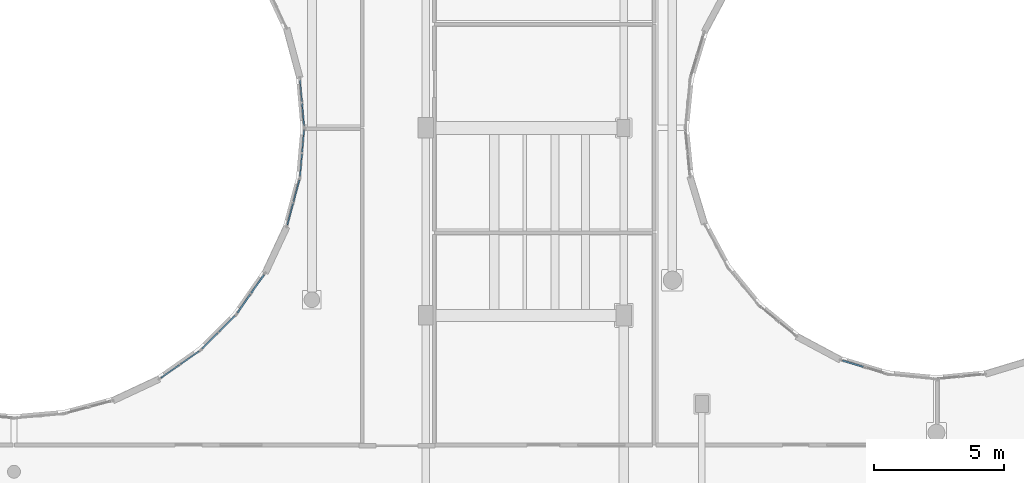
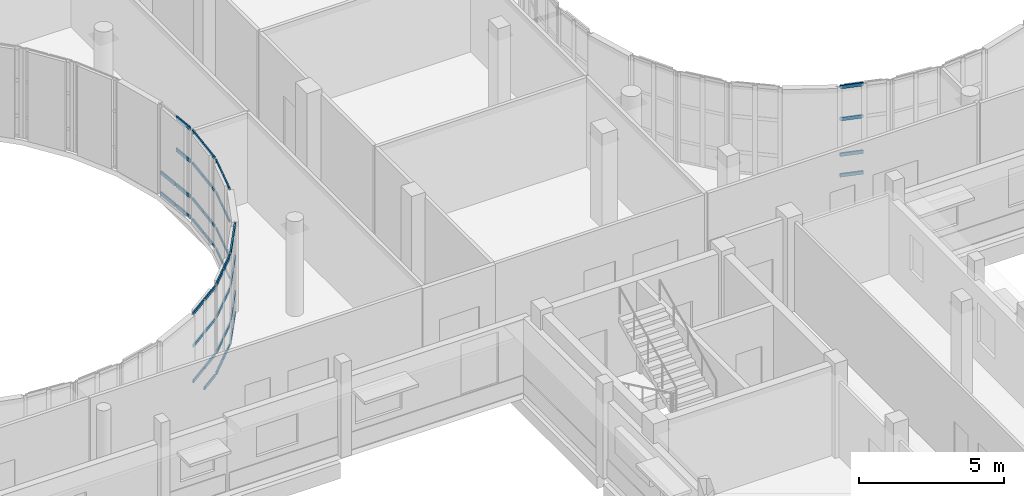
# One storey, part 54 of 105: 49 members, 7 elements without a shape of their own.
"""IFC4 building model written with IfcOpenShell, lengths in metres."""

from ifc_helpers import new_model, si_unit, direction, frame, origin, origin_2d, place, context, subcontext, project, spatial, hollow_rectangle, extrude, material, layer, layer_set, material_profile, profile_set, type_object, element, aggregate, save


model = new_model("IFC4")

# Units and contexts
model_context = context("Model", 3, precision=1e-05, world=origin(), true_north=direction((0.0, 1.0)))
body_context = subcontext(model_context, "Body", "Model", "MODEL_VIEW")
ifc_project = project(units=[si_unit("LENGTHUNIT", "METRE"), si_unit("AREAUNIT", "SQUARE_METRE"), si_unit("VOLUMEUNIT", "CUBIC_METRE"), si_unit("PLANEANGLEUNIT", "RADIAN"), si_unit("MASSUNIT", "GRAM", prefix="KILO")], contexts=[model_context])

# Site, building, storey
site_placement = place(None, origin())
site = spatial("IfcSite", under=ifc_project, at=site_placement, CompositionType="ELEMENT")
building_placement = place(site_placement, origin())
building = spatial("IfcBuilding", under=site, at=building_placement, Name="Kelanivale Promenade Academy", CompositionType="ELEMENT")
storey_placement = place(building_placement, frame((0.0, 0.0, 4.199951171875)))
storey = spatial("IfcBuildingStorey", under=building, at=storey_placement, Name="L01", CompositionType="ELEMENT", Elevation=4.199951171875)

# Curtain wall, members
ifc_material_1 = material(Name="Bronze anodised aluminium and solar-control low-E glass", Category="aluminium")
ifc_layer_1 = layer(ifc_material_1, 0.179931640625)
ifc_layer_set_1 = layer_set([ifc_layer_1], Name="Bronze anodised aluminium and solar-control low-E glass")
curtain_wall_type_1 = type_object("IfcCurtainWallType", Name="CW-05 Curtain Wall 1950mm Module", PredefinedType="USERDEFINED", material=ifc_layer_set_1)
curtain_wall_1_placement = place(storey_placement, origin())
curtain_wall_1 = element("IfcCurtainWall", 1, at=curtain_wall_1_placement, inside=storey, type_object=curtain_wall_type_1, Name="L01 courtyard curtain wall CW-05", ObjectType="UNITISED GLAZING", PredefinedType="USERDEFINED")
ifc_material_2 = material(Name="Bronze anodised aluminium EN AW-6063 T6", Category="aluminium")
ifc_material_profile_1 = material_profile(ifc_material_2, hollow_rectangle(XDim=0.050048828125, YDim=0.10009765625, WallThickness=0.0029296875, at=origin_2d()), Name="ALU 50x100x3.0")
ifc_profile_set_1 = profile_set([ifc_material_profile_1], Name="Bronze anodised aluminium EN AW-6063 T6")
member_type_1 = type_object("IfcMemberType", Name="CWT-01 ALU 50x100x3.0", PredefinedType="USERDEFINED", material=ifc_profile_set_1)
member_1_placement = place(storey_placement, frame((73.8916015625, 53.073974609375, 0.025146484375), z_axis=(0.258509382951, 0.966008746817, 0.0), x_axis=(-0.966008746817, 0.258509382951, 0.0)))
member_1 = element("IfcMember", 2, at=member_1_placement, type_object=member_type_1, Name="CW-05 transom 1.1", ObjectType="TRANSOM", PredefinedType="USERDEFINED", context=body_context, shape_type="SweptSolid", body=[
    extrude(hollow_rectangle(XDim=0.050048828125, YDim=0.10009765625, WallThickness=0.0029296875, at=origin_2d()), origin(), (0.0, 0.0, 1.0), 0.861328125),
])
member_2_placement = place(storey_placement, frame((73.8916015625, 53.073974609375, 0.900146484375), z_axis=(0.258509382951, 0.966008746817, 0.0), x_axis=(-0.966008746817, 0.258509382951, 0.0)))
member_2 = element("IfcMember", 3, at=member_2_placement, type_object=member_type_1, Name="CW-05 transom 1.2", ObjectType="TRANSOM", PredefinedType="USERDEFINED", context=body_context, shape_type="SweptSolid", body=[
    extrude(hollow_rectangle(XDim=0.050048828125, YDim=0.10009765625, WallThickness=0.0029296875, at=origin_2d()), origin(), (0.0, 0.0, 1.0), 0.861328125),
])
member_3_placement = place(storey_placement, frame((73.8916015625, 53.073974609375, 2.400146484375), z_axis=(0.258509382951, 0.966008746817, 0.0), x_axis=(-0.966008746817, 0.258509382951, 0.0)))
member_3 = element("IfcMember", 4, at=member_3_placement, type_object=member_type_1, Name="CW-05 transom 1.3", ObjectType="TRANSOM", PredefinedType="USERDEFINED", context=body_context, shape_type="SweptSolid", body=[
    extrude(hollow_rectangle(XDim=0.050048828125, YDim=0.10009765625, WallThickness=0.0029296875, at=origin_2d()), origin(), (0.0, 0.0, 1.0), 0.861328125),
])
member_4_placement = place(storey_placement, frame((73.8916015625, 53.073974609375, 3.755126953125), z_axis=(0.258509382951, 0.966008746817, 0.0), x_axis=(-0.966008746817, 0.258509382951, 0.0)))
member_4 = element("IfcMember", 5, at=member_4_placement, type_object=member_type_1, Name="CW-05 transom 1.4", ObjectType="TRANSOM", PredefinedType="USERDEFINED", context=body_context, shape_type="SweptSolid", body=[
    extrude(hollow_rectangle(XDim=0.050048828125, YDim=0.10009765625, WallThickness=0.0029296875, at=origin_2d()), origin(), (0.0, 0.0, 1.0), 0.861328125),
])
member_5_placement = place(storey_placement, frame((74.129638671875, 53.9638671875, 0.025146484375), z_axis=(0.258703036835, 0.965956903144, 0.0), x_axis=(-0.965956903144, 0.258703036835, 0.0)))
member_5 = element("IfcMember", 6, at=member_5_placement, type_object=member_type_1, Name="CW-05 transom 2.1", ObjectType="TRANSOM", PredefinedType="USERDEFINED", context=body_context, shape_type="SweptSolid", body=[
    extrude(hollow_rectangle(XDim=0.050048828125, YDim=0.10009765625, WallThickness=0.0029296875, at=origin_2d()), origin(), (0.0, 0.0, 1.0), 0.861572265625),
])
member_6_placement = place(storey_placement, frame((74.129638671875, 53.9638671875, 0.900146484375), z_axis=(0.258703036835, 0.965956903144, 0.0), x_axis=(-0.965956903144, 0.258703036835, 0.0)))
member_6 = element("IfcMember", 7, at=member_6_placement, type_object=member_type_1, Name="CW-05 transom 2.2", ObjectType="TRANSOM", PredefinedType="USERDEFINED", context=body_context, shape_type="SweptSolid", body=[
    extrude(hollow_rectangle(XDim=0.050048828125, YDim=0.10009765625, WallThickness=0.0029296875, at=origin_2d()), origin(), (0.0, 0.0, 1.0), 0.861572265625),
])
member_7_placement = place(storey_placement, frame((74.129638671875, 53.9638671875, 2.400146484375), z_axis=(0.258703036835, 0.965956903144, 0.0), x_axis=(-0.965956903144, 0.258703036835, 0.0)))
member_7 = element("IfcMember", 8, at=member_7_placement, type_object=member_type_1, Name="CW-05 transom 2.3", ObjectType="TRANSOM", PredefinedType="USERDEFINED", context=body_context, shape_type="SweptSolid", body=[
    extrude(hollow_rectangle(XDim=0.050048828125, YDim=0.10009765625, WallThickness=0.0029296875, at=origin_2d()), origin(), (0.0, 0.0, 1.0), 0.861572265625),
])
member_8_placement = place(storey_placement, frame((74.129638671875, 53.9638671875, 3.755126953125), z_axis=(0.258703036835, 0.965956903144, 0.0), x_axis=(-0.965956903144, 0.258703036835, 0.0)))
member_8 = element("IfcMember", 9, at=member_8_placement, type_object=member_type_1, Name="CW-05 transom 2.4", ObjectType="TRANSOM", PredefinedType="USERDEFINED", context=body_context, shape_type="SweptSolid", body=[
    extrude(hollow_rectangle(XDim=0.050048828125, YDim=0.10009765625, WallThickness=0.0029296875, at=origin_2d()), origin(), (0.0, 0.0, 1.0), 0.861572265625),
])
aggregate(curtain_wall_1, [member_1, member_2, member_3, member_4, member_5, member_6, member_7, member_8])

ifc_layer_2 = layer(ifc_material_1, 0.179931640625)
ifc_layer_set_2 = layer_set([ifc_layer_2], Name="Bronze anodised aluminium and solar-control low-E glass")
curtain_wall_type_2 = type_object("IfcCurtainWallType", Name="CW-02 Curtain Wall 1500mm Module", PredefinedType="USERDEFINED", material=ifc_layer_set_2)
curtain_wall_2_placement = place(storey_placement, origin())
curtain_wall_2 = element("IfcCurtainWall", 10, at=curtain_wall_2_placement, inside=storey, type_object=curtain_wall_type_2, Name="L01 courtyard curtain wall CW-02", ObjectType="UNITISED GLAZING", PredefinedType="USERDEFINED")
ifc_material_profile_2 = material_profile(ifc_material_2, hollow_rectangle(XDim=0.050048828125, YDim=0.1201171875, WallThickness=0.0029296875, at=origin_2d()), Name="ALU 50x120x3.0")
ifc_profile_set_2 = profile_set([ifc_material_profile_2], Name="Bronze anodised aluminium EN AW-6063 T6")
member_type_2 = type_object("IfcMemberType", Name="CWT-02 ALU 50x120x3.0", PredefinedType="USERDEFINED", material=ifc_profile_set_2)
member_9_placement = place(storey_placement, frame((69.041259765625, 47.202392578125, 0.900146484375), z_axis=(0.819231920519, 0.573462344363, 0.0), x_axis=(-0.573462344363, 0.819231920519, 0.0)))
member_9 = element("IfcMember", 11, at=member_9_placement, type_object=member_type_2, Name="CW-02 transom 1.2", ObjectType="TRANSOM", PredefinedType="USERDEFINED", context=body_context, shape_type="SweptSolid", body=[
    extrude(hollow_rectangle(XDim=0.050048828125, YDim=0.1201171875, WallThickness=0.0029296875, at=origin_2d()), origin(), (0.0, 0.0, 1.0), 0.861328125),
])
member_10_placement = place(storey_placement, frame((69.041259765625, 47.202392578125, 2.400146484375), z_axis=(0.819231920519, 0.573462344363, 0.0), x_axis=(-0.573462344363, 0.819231920519, 0.0)))
member_10 = element("IfcMember", 12, at=member_10_placement, type_object=member_type_2, Name="CW-02 transom 1.3", ObjectType="TRANSOM", PredefinedType="USERDEFINED", context=body_context, shape_type="SweptSolid", body=[
    extrude(hollow_rectangle(XDim=0.050048828125, YDim=0.1201171875, WallThickness=0.0029296875, at=origin_2d()), origin(), (0.0, 0.0, 1.0), 0.861328125),
])
member_11_placement = place(storey_placement, frame((69.041259765625, 47.202392578125, 3.755126953125), z_axis=(0.819231920519, 0.573462344363, 0.0), x_axis=(-0.573462344363, 0.819231920519, 0.0)))
member_11 = element("IfcMember", 13, at=member_11_placement, type_object=member_type_2, Name="CW-02 transom 1.4", ObjectType="TRANSOM", PredefinedType="USERDEFINED", context=body_context, shape_type="SweptSolid", body=[
    extrude(hollow_rectangle(XDim=0.050048828125, YDim=0.1201171875, WallThickness=0.0029296875, at=origin_2d()), origin(), (0.0, 0.0, 1.0), 0.861328125),
])
member_12_placement = place(storey_placement, frame((69.796142578125, 47.730712890625, 0.025146484375), z_axis=(0.819325110144, 0.573329193297, 0.0), x_axis=(-0.573329193297, 0.819325110144, 0.0)))
member_12 = element("IfcMember", 14, at=member_12_placement, type_object=member_type_2, Name="CW-02 transom 2.1", ObjectType="TRANSOM", PredefinedType="USERDEFINED", context=body_context, shape_type="SweptSolid", body=[
    extrude(hollow_rectangle(XDim=0.050048828125, YDim=0.1201171875, WallThickness=0.0029296875, at=origin_2d()), origin(), (0.0, 0.0, 1.0), 0.861572265625),
])
member_13_placement = place(storey_placement, frame((69.796142578125, 47.730712890625, 0.900146484375), z_axis=(0.819325110144, 0.573329193297, 0.0), x_axis=(-0.573329193297, 0.819325110144, 0.0)))
member_13 = element("IfcMember", 15, at=member_13_placement, type_object=member_type_2, Name="CW-02 transom 2.2", ObjectType="TRANSOM", PredefinedType="USERDEFINED", context=body_context, shape_type="SweptSolid", body=[
    extrude(hollow_rectangle(XDim=0.050048828125, YDim=0.1201171875, WallThickness=0.0029296875, at=origin_2d()), origin(), (0.0, 0.0, 1.0), 0.861572265625),
])
member_14_placement = place(storey_placement, frame((69.796142578125, 47.730712890625, 2.400146484375), z_axis=(0.819325110144, 0.573329193297, 0.0), x_axis=(-0.573329193297, 0.819325110144, 0.0)))
member_14 = element("IfcMember", 16, at=member_14_placement, type_object=member_type_2, Name="CW-02 transom 2.3", ObjectType="TRANSOM", PredefinedType="USERDEFINED", context=body_context, shape_type="SweptSolid", body=[
    extrude(hollow_rectangle(XDim=0.050048828125, YDim=0.1201171875, WallThickness=0.0029296875, at=origin_2d()), origin(), (0.0, 0.0, 1.0), 0.861572265625),
])
member_15_placement = place(storey_placement, frame((69.796142578125, 47.730712890625, 3.755126953125), z_axis=(0.819325110144, 0.573329193297, 0.0), x_axis=(-0.573329193297, 0.819325110144, 0.0)))
member_15 = element("IfcMember", 17, at=member_15_placement, type_object=member_type_2, Name="CW-02 transom 2.4", ObjectType="TRANSOM", PredefinedType="USERDEFINED", context=body_context, shape_type="SweptSolid", body=[
    extrude(hollow_rectangle(XDim=0.050048828125, YDim=0.1201171875, WallThickness=0.0029296875, at=origin_2d()), origin(), (0.0, 0.0, 1.0), 0.861572265625),
])
aggregate(curtain_wall_2, [member_9, member_10, member_11, member_12, member_13, member_14, member_15])

ifc_layer_3 = layer(ifc_material_1, 0.159912109375)
ifc_layer_set_3 = layer_set([ifc_layer_3], Name="Bronze anodised aluminium and solar-control low-E glass")
curtain_wall_type_3 = type_object("IfcCurtainWallType", Name="CW-06 Curtain Wall 1200mm Module", PredefinedType="USERDEFINED", material=ifc_layer_set_3)
curtain_wall_3_placement = place(storey_placement, origin())
curtain_wall_3 = element("IfcCurtainWall", 18, at=curtain_wall_3_placement, inside=storey, type_object=curtain_wall_type_3, Name="L01 courtyard curtain wall CW-06", ObjectType="UNITISED GLAZING", PredefinedType="USERDEFINED")
member_16_placement = place(storey_placement, frame((74.377197265625, 54.937744140625, 0.025146484375), z_axis=(0.087114660187, 0.996198291496, 0.0), x_axis=(-0.996198291496, 0.087114660187, 0.0)))
member_16 = element("IfcMember", 19, at=member_16_placement, type_object=member_type_2, Name="CW-06 transom 1.1", ObjectType="TRANSOM", PredefinedType="USERDEFINED", context=body_context, shape_type="SweptSolid", body=[
    extrude(hollow_rectangle(XDim=0.050048828125, YDim=0.1201171875, WallThickness=0.0029296875, at=origin_2d()), origin(), (0.0, 0.0, 1.0), 0.868896484375),
])
member_17_placement = place(storey_placement, frame((74.377197265625, 54.937744140625, 0.900146484375), z_axis=(0.087114660187, 0.996198291496, 0.0), x_axis=(-0.996198291496, 0.087114660187, 0.0)))
member_17 = element("IfcMember", 20, at=member_17_placement, type_object=member_type_2, Name="CW-06 transom 1.2", ObjectType="TRANSOM", PredefinedType="USERDEFINED", context=body_context, shape_type="SweptSolid", body=[
    extrude(hollow_rectangle(XDim=0.050048828125, YDim=0.1201171875, WallThickness=0.0029296875, at=origin_2d()), origin(), (0.0, 0.0, 1.0), 0.868896484375),
])
member_18_placement = place(storey_placement, frame((74.377197265625, 54.937744140625, 2.400146484375), z_axis=(0.087114660187, 0.996198291496, 0.0), x_axis=(-0.996198291496, 0.087114660187, 0.0)))
member_18 = element("IfcMember", 21, at=member_18_placement, type_object=member_type_2, Name="CW-06 transom 1.3", ObjectType="TRANSOM", PredefinedType="USERDEFINED", context=body_context, shape_type="SweptSolid", body=[
    extrude(hollow_rectangle(XDim=0.050048828125, YDim=0.1201171875, WallThickness=0.0029296875, at=origin_2d()), origin(), (0.0, 0.0, 1.0), 0.868896484375),
])
member_19_placement = place(storey_placement, frame((74.377197265625, 54.937744140625, 3.755126953125), z_axis=(0.087114660187, 0.996198291496, 0.0), x_axis=(-0.996198291496, 0.087114660187, 0.0)))
member_19 = element("IfcMember", 22, at=member_19_placement, type_object=member_type_2, Name="CW-06 transom 1.4", ObjectType="TRANSOM", PredefinedType="USERDEFINED", context=body_context, shape_type="SweptSolid", body=[
    extrude(hollow_rectangle(XDim=0.050048828125, YDim=0.1201171875, WallThickness=0.0029296875, at=origin_2d()), origin(), (0.0, 0.0, 1.0), 0.868896484375),
])
member_20_placement = place(storey_placement, frame((74.4580078125, 55.86279296875, 0.025146484375), z_axis=(0.087114660187, 0.996198291496, 0.0), x_axis=(-0.996198291496, 0.087114660187, 0.0)))
member_20 = element("IfcMember", 23, at=member_20_placement, type_object=member_type_2, Name="CW-06 transom 2.1", ObjectType="TRANSOM", PredefinedType="USERDEFINED", context=body_context, shape_type="SweptSolid", body=[
    extrude(hollow_rectangle(XDim=0.050048828125, YDim=0.1201171875, WallThickness=0.0029296875, at=origin_2d()), origin(), (0.0, 0.0, 1.0), 0.868896484375),
])
member_21_placement = place(storey_placement, frame((74.4580078125, 55.86279296875, 0.900146484375), z_axis=(0.087114660187, 0.996198291496, 0.0), x_axis=(-0.996198291496, 0.087114660187, 0.0)))
member_21 = element("IfcMember", 24, at=member_21_placement, type_object=member_type_2, Name="CW-06 transom 2.2", ObjectType="TRANSOM", PredefinedType="USERDEFINED", context=body_context, shape_type="SweptSolid", body=[
    extrude(hollow_rectangle(XDim=0.050048828125, YDim=0.1201171875, WallThickness=0.0029296875, at=origin_2d()), origin(), (0.0, 0.0, 1.0), 0.868896484375),
])
member_22_placement = place(storey_placement, frame((74.4580078125, 55.86279296875, 2.400146484375), z_axis=(0.087114660187, 0.996198291496, 0.0), x_axis=(-0.996198291496, 0.087114660187, 0.0)))
member_22 = element("IfcMember", 25, at=member_22_placement, type_object=member_type_2, Name="CW-06 transom 2.3", ObjectType="TRANSOM", PredefinedType="USERDEFINED", context=body_context, shape_type="SweptSolid", body=[
    extrude(hollow_rectangle(XDim=0.050048828125, YDim=0.1201171875, WallThickness=0.0029296875, at=origin_2d()), origin(), (0.0, 0.0, 1.0), 0.868896484375),
])
member_23_placement = place(storey_placement, frame((74.4580078125, 55.86279296875, 3.755126953125), z_axis=(0.087114660187, 0.996198291496, 0.0), x_axis=(-0.996198291496, 0.087114660187, 0.0)))
member_23 = element("IfcMember", 26, at=member_23_placement, type_object=member_type_2, Name="CW-06 transom 2.4", ObjectType="TRANSOM", PredefinedType="USERDEFINED", context=body_context, shape_type="SweptSolid", body=[
    extrude(hollow_rectangle(XDim=0.050048828125, YDim=0.1201171875, WallThickness=0.0029296875, at=origin_2d()), origin(), (0.0, 0.0, 1.0), 0.868896484375),
])
aggregate(curtain_wall_3, [member_16, member_17, member_18, member_19, member_20, member_21, member_22, member_23])

ifc_layer_4 = layer(ifc_material_1, 0.159912109375)
ifc_layer_set_4 = layer_set([ifc_layer_4], Name="Bronze anodised aluminium and solar-control low-E glass")
curtain_wall_type_4 = type_object("IfcCurtainWallType", Name="CW-03 Curtain Wall 1650mm Module", PredefinedType="USERDEFINED", material=ifc_layer_set_4)
curtain_wall_4_placement = place(storey_placement, origin())
curtain_wall_4 = element("IfcCurtainWall", 27, at=curtain_wall_4_placement, inside=storey, type_object=curtain_wall_type_4, Name="L01 courtyard curtain wall CW-03", ObjectType="UNITISED GLAZING", PredefinedType="USERDEFINED")
ifc_material_profile_3 = material_profile(ifc_material_2, hollow_rectangle(XDim=0.050048828125, YDim=0.14990234375, WallThickness=0.00341796875, at=origin_2d()), Name="ALU 50x150x3.5")
ifc_profile_set_3 = profile_set([ifc_material_profile_3], Name="Bronze anodised aluminium EN AW-6063 T6")
member_type_3 = type_object("IfcMemberType", Name="CWT-03 ALU 50x150x3.5", PredefinedType="USERDEFINED", material=ifc_profile_set_3)
member_24_placement = place(storey_placement, frame((70.615966796875, 48.321044921875, 0.025146484375), z_axis=(0.707248613853, 0.706964920065, 0.0), x_axis=(-0.706964920065, 0.707248613853, 0.0)))
member_24 = element("IfcMember", 28, at=member_24_placement, type_object=member_type_3, Name="CW-03 transom 1.1", ObjectType="TRANSOM", PredefinedType="USERDEFINED", context=body_context, shape_type="SweptSolid", body=[
    extrude(hollow_rectangle(XDim=0.050048828125, YDim=0.14990234375, WallThickness=0.00341796875, at=origin_2d()), origin(), (0.0, 0.0, 1.0), 0.860595703125),
])
member_25_placement = place(storey_placement, frame((70.615966796875, 48.321044921875, 0.900146484375), z_axis=(0.707248613853, 0.706964920065, 0.0), x_axis=(-0.706964920065, 0.707248613853, 0.0)))
member_25 = element("IfcMember", 29, at=member_25_placement, type_object=member_type_3, Name="CW-03 transom 1.2", ObjectType="TRANSOM", PredefinedType="USERDEFINED", context=body_context, shape_type="SweptSolid", body=[
    extrude(hollow_rectangle(XDim=0.050048828125, YDim=0.14990234375, WallThickness=0.00341796875, at=origin_2d()), origin(), (0.0, 0.0, 1.0), 0.860595703125),
])
member_26_placement = place(storey_placement, frame((70.615966796875, 48.321044921875, 2.400146484375), z_axis=(0.707248613853, 0.706964920065, 0.0), x_axis=(-0.706964920065, 0.707248613853, 0.0)))
member_26 = element("IfcMember", 30, at=member_26_placement, type_object=member_type_3, Name="CW-03 transom 1.3", ObjectType="TRANSOM", PredefinedType="USERDEFINED", context=body_context, shape_type="SweptSolid", body=[
    extrude(hollow_rectangle(XDim=0.050048828125, YDim=0.14990234375, WallThickness=0.00341796875, at=origin_2d()), origin(), (0.0, 0.0, 1.0), 0.860595703125),
])
member_27_placement = place(storey_placement, frame((70.615966796875, 48.321044921875, 3.755126953125), z_axis=(0.707248613853, 0.706964920065, 0.0), x_axis=(-0.706964920065, 0.707248613853, 0.0)))
member_27 = element("IfcMember", 31, at=member_27_placement, type_object=member_type_3, Name="CW-03 transom 1.4", ObjectType="TRANSOM", PredefinedType="USERDEFINED", context=body_context, shape_type="SweptSolid", body=[
    extrude(hollow_rectangle(XDim=0.050048828125, YDim=0.14990234375, WallThickness=0.00341796875, at=origin_2d()), origin(), (0.0, 0.0, 1.0), 0.860595703125),
])
member_28_placement = place(storey_placement, frame((71.2705078125, 48.9755859375, 0.025146484375), z_axis=(0.707248613853, 0.706964920065, 0.0), x_axis=(-0.706964920065, 0.707248613853, 0.0)))
member_28 = element("IfcMember", 32, at=member_28_placement, type_object=member_type_3, Name="CW-03 transom 2.1", ObjectType="TRANSOM", PredefinedType="USERDEFINED", context=body_context, shape_type="SweptSolid", body=[
    extrude(hollow_rectangle(XDim=0.050048828125, YDim=0.14990234375, WallThickness=0.00341796875, at=origin_2d()), origin(), (0.0, 0.0, 1.0), 0.860595703125),
])
member_29_placement = place(storey_placement, frame((71.2705078125, 48.9755859375, 0.900146484375), z_axis=(0.707248613853, 0.706964920065, 0.0), x_axis=(-0.706964920065, 0.707248613853, 0.0)))
member_29 = element("IfcMember", 33, at=member_29_placement, type_object=member_type_3, Name="CW-03 transom 2.2", ObjectType="TRANSOM", PredefinedType="USERDEFINED", context=body_context, shape_type="SweptSolid", body=[
    extrude(hollow_rectangle(XDim=0.050048828125, YDim=0.14990234375, WallThickness=0.00341796875, at=origin_2d()), origin(), (0.0, 0.0, 1.0), 0.860595703125),
])
member_30_placement = place(storey_placement, frame((71.2705078125, 48.9755859375, 2.400146484375), z_axis=(0.707248613853, 0.706964920065, 0.0), x_axis=(-0.706964920065, 0.707248613853, 0.0)))
member_30 = element("IfcMember", 34, at=member_30_placement, type_object=member_type_3, Name="CW-03 transom 2.3", ObjectType="TRANSOM", PredefinedType="USERDEFINED", context=body_context, shape_type="SweptSolid", body=[
    extrude(hollow_rectangle(XDim=0.050048828125, YDim=0.14990234375, WallThickness=0.00341796875, at=origin_2d()), origin(), (0.0, 0.0, 1.0), 0.860595703125),
])
member_31_placement = place(storey_placement, frame((71.2705078125, 48.9755859375, 3.755126953125), z_axis=(0.707248613853, 0.706964920065, 0.0), x_axis=(-0.706964920065, 0.707248613853, 0.0)))
member_31 = element("IfcMember", 35, at=member_31_placement, type_object=member_type_3, Name="CW-03 transom 2.4", ObjectType="TRANSOM", PredefinedType="USERDEFINED", context=body_context, shape_type="SweptSolid", body=[
    extrude(hollow_rectangle(XDim=0.050048828125, YDim=0.14990234375, WallThickness=0.00341796875, at=origin_2d()), origin(), (0.0, 0.0, 1.0), 0.860595703125),
])
aggregate(curtain_wall_4, [member_24, member_25, member_26, member_27, member_28, member_29, member_30, member_31])

ifc_layer_5 = layer(ifc_material_1, 0.169921875)
ifc_layer_set_5 = layer_set([ifc_layer_5], Name="Bronze anodised aluminium and solar-control low-E glass")
curtain_wall_type_5 = type_object("IfcCurtainWallType", Name="CW-07 Curtain Wall 1350mm Module", PredefinedType="USERDEFINED", material=ifc_layer_set_5)
curtain_wall_5_placement = place(storey_placement, origin())
curtain_wall_5 = element("IfcCurtainWall", 36, at=curtain_wall_5_placement, inside=storey, type_object=curtain_wall_type_5, Name="L01 courtyard curtain wall CW-07", ObjectType="UNITISED GLAZING", PredefinedType="USERDEFINED")
member_32_placement = place(storey_placement, frame((74.533447265625, 56.876708984375, 0.025146484375), z_axis=(-0.087518189501, 0.996162921668, 0.0), x_axis=(-0.996162921668, -0.087518189501, 0.0)))
member_32 = element("IfcMember", 37, at=member_32_placement, type_object=member_type_3, Name="CW-07 transom 1.1", ObjectType="TRANSOM", PredefinedType="USERDEFINED", context=body_context, shape_type="SweptSolid", body=[
    extrude(hollow_rectangle(XDim=0.050048828125, YDim=0.14990234375, WallThickness=0.00341796875, at=origin_2d()), origin(), (0.0, 0.0, 1.0), 0.853515625),
])
member_33_placement = place(storey_placement, frame((74.533447265625, 56.876708984375, 0.900146484375), z_axis=(-0.087518189501, 0.996162921668, 0.0), x_axis=(-0.996162921668, -0.087518189501, 0.0)))
member_33 = element("IfcMember", 38, at=member_33_placement, type_object=member_type_3, Name="CW-07 transom 1.2", ObjectType="TRANSOM", PredefinedType="USERDEFINED", context=body_context, shape_type="SweptSolid", body=[
    extrude(hollow_rectangle(XDim=0.050048828125, YDim=0.14990234375, WallThickness=0.00341796875, at=origin_2d()), origin(), (0.0, 0.0, 1.0), 0.853515625),
])
member_34_placement = place(storey_placement, frame((74.533447265625, 56.876708984375, 2.400146484375), z_axis=(-0.087518189501, 0.996162921668, 0.0), x_axis=(-0.996162921668, -0.087518189501, 0.0)))
member_34 = element("IfcMember", 39, at=member_34_placement, type_object=member_type_3, Name="CW-07 transom 1.3", ObjectType="TRANSOM", PredefinedType="USERDEFINED", context=body_context, shape_type="SweptSolid", body=[
    extrude(hollow_rectangle(XDim=0.050048828125, YDim=0.14990234375, WallThickness=0.00341796875, at=origin_2d()), origin(), (0.0, 0.0, 1.0), 0.853515625),
])
member_35_placement = place(storey_placement, frame((74.533447265625, 56.876708984375, 3.755126953125), z_axis=(-0.087518189501, 0.996162921668, 0.0), x_axis=(-0.996162921668, -0.087518189501, 0.0)))
member_35 = element("IfcMember", 40, at=member_35_placement, type_object=member_type_3, Name="CW-07 transom 1.4", ObjectType="TRANSOM", PredefinedType="USERDEFINED", context=body_context, shape_type="SweptSolid", body=[
    extrude(hollow_rectangle(XDim=0.050048828125, YDim=0.14990234375, WallThickness=0.00341796875, at=origin_2d()), origin(), (0.0, 0.0, 1.0), 0.853515625),
])
member_36_placement = place(storey_placement, frame((74.453125, 57.7919921875, 0.025146484375), z_axis=(-0.087234362353, 0.996187816641, 0.0), x_axis=(-0.996187816641, -0.087234362353, 0.0)))
member_36 = element("IfcMember", 41, at=member_36_placement, type_object=member_type_3, Name="CW-07 transom 2.1", ObjectType="TRANSOM", PredefinedType="USERDEFINED", context=body_context, shape_type="SweptSolid", body=[
    extrude(hollow_rectangle(XDim=0.050048828125, YDim=0.14990234375, WallThickness=0.00341796875, at=origin_2d()), origin(), (0.0, 0.0, 1.0), 0.853515625),
])
member_37_placement = place(storey_placement, frame((74.453125, 57.7919921875, 0.900146484375), z_axis=(-0.087234362353, 0.996187816641, 0.0), x_axis=(-0.996187816641, -0.087234362353, 0.0)))
member_37 = element("IfcMember", 42, at=member_37_placement, type_object=member_type_3, Name="CW-07 transom 2.2", ObjectType="TRANSOM", PredefinedType="USERDEFINED", context=body_context, shape_type="SweptSolid", body=[
    extrude(hollow_rectangle(XDim=0.050048828125, YDim=0.14990234375, WallThickness=0.00341796875, at=origin_2d()), origin(), (0.0, 0.0, 1.0), 0.853515625),
])
aggregate(curtain_wall_5, [member_32, member_33, member_34, member_35, member_36, member_37])

ifc_layer_6 = layer(ifc_material_1, 0.179931640625)
ifc_layer_set_6 = layer_set([ifc_layer_6], Name="Bronze anodised aluminium and solar-control low-E glass")
curtain_wall_type_6 = type_object("IfcCurtainWallType", Name="CW-20 Curtain Wall 1500mm Module", PredefinedType="USERDEFINED", material=ifc_layer_set_6)
curtain_wall_6_placement = place(storey_placement, origin())
curtain_wall_6 = element("IfcCurtainWall", 43, at=curtain_wall_6_placement, inside=storey, type_object=curtain_wall_type_6, Name="L01 courtyard curtain wall CW-20", ObjectType="COURTYARD SCREEN GLAZING", PredefinedType="USERDEFINED")
ifc_material_profile_4 = material_profile(ifc_material_2, hollow_rectangle(XDim=0.06005859375, YDim=0.139892578125, WallThickness=0.00341796875, at=origin_2d()), Name="ALU 60x140x3.5")
ifc_profile_set_4 = profile_set([ifc_material_profile_4], Name="Bronze anodised aluminium EN AW-6063 T6")
member_type_4 = type_object("IfcMemberType", Name="CWT-04 ALU 60x140x3.5", PredefinedType="USERDEFINED", material=ifc_profile_set_4)
member_38_placement = place(storey_placement, frame((95.2001953125, 47.8662109375, 0.030029296875), z_axis=(0.956984636742, -0.290138596258, 0.0), x_axis=(0.290138596258, 0.956984636742, 0.0)))
member_38 = element("IfcMember", 44, at=member_38_placement, type_object=member_type_4, Name="CW-20 transom 1.1", ObjectType="TRANSOM", PredefinedType="USERDEFINED", context=body_context, shape_type="SweptSolid", body=[
    extrude(hollow_rectangle(XDim=0.06005859375, YDim=0.139892578125, WallThickness=0.00341796875, at=origin_2d()), origin(), (0.0, 0.0, 1.0), 0.826416015625),
])
member_39_placement = place(storey_placement, frame((95.2001953125, 47.8662109375, 0.900146484375), z_axis=(0.956984636742, -0.290138596258, 0.0), x_axis=(0.290138596258, 0.956984636742, 0.0)))
member_39 = element("IfcMember", 45, at=member_39_placement, type_object=member_type_4, Name="CW-20 transom 1.2", ObjectType="TRANSOM", PredefinedType="USERDEFINED", context=body_context, shape_type="SweptSolid", body=[
    extrude(hollow_rectangle(XDim=0.06005859375, YDim=0.139892578125, WallThickness=0.00341796875, at=origin_2d()), origin(), (0.0, 0.0, 1.0), 0.826416015625),
])
member_40_placement = place(storey_placement, frame((95.2001953125, 47.8662109375, 2.400146484375), z_axis=(0.956984636742, -0.290138596258, 0.0), x_axis=(0.290138596258, 0.956984636742, 0.0)))
member_40 = element("IfcMember", 46, at=member_40_placement, type_object=member_type_4, Name="CW-20 transom 1.3", ObjectType="TRANSOM", PredefinedType="USERDEFINED", context=body_context, shape_type="SweptSolid", body=[
    extrude(hollow_rectangle(XDim=0.06005859375, YDim=0.139892578125, WallThickness=0.00341796875, at=origin_2d()), origin(), (0.0, 0.0, 1.0), 0.826416015625),
])
member_41_placement = place(storey_placement, frame((95.2001953125, 47.8662109375, 3.75), z_axis=(0.956984636742, -0.290138596258, 0.0), x_axis=(0.290138596258, 0.956984636742, 0.0)))
member_41 = element("IfcMember", 47, at=member_41_placement, type_object=member_type_4, Name="CW-20 transom 1.4", ObjectType="TRANSOM", PredefinedType="USERDEFINED", context=body_context, shape_type="SweptSolid", body=[
    extrude(hollow_rectangle(XDim=0.06005859375, YDim=0.139892578125, WallThickness=0.00341796875, at=origin_2d()), origin(), (0.0, 0.0, 1.0), 0.826416015625),
])
aggregate(curtain_wall_6, [member_38, member_39, member_40, member_41])

ifc_layer_7 = layer(ifc_material_1, 0.169921875)
ifc_layer_set_7 = layer_set([ifc_layer_7], Name="Bronze anodised aluminium and solar-control low-E glass")
curtain_wall_type_7 = type_object("IfcCurtainWallType", Name="CW-04 Curtain Wall 1800mm Module", PredefinedType="USERDEFINED", material=ifc_layer_set_7)
curtain_wall_7_placement = place(storey_placement, origin())
curtain_wall_7 = element("IfcCurtainWall", 48, at=curtain_wall_7_placement, inside=storey, type_object=curtain_wall_type_7, Name="L01 courtyard curtain wall CW-04", ObjectType="UNITISED GLAZING", PredefinedType="USERDEFINED")
member_42_placement = place(storey_placement, frame((71.978271484375, 49.7021484375, 0.030029296875), z_axis=(0.573232065648, 0.819393067406, 0.0), x_axis=(-0.819393067406, 0.573232065648, 0.0)))
member_42 = element("IfcMember", 49, at=member_42_placement, type_object=member_type_4, Name="CW-04 transom 1.1", ObjectType="TRANSOM", PredefinedType="USERDEFINED", context=body_context, shape_type="SweptSolid", body=[
    extrude(hollow_rectangle(XDim=0.06005859375, YDim=0.139892578125, WallThickness=0.00341796875, at=origin_2d()), origin(), (0.0, 0.0, 1.0), 0.85400390625),
])
member_43_placement = place(storey_placement, frame((71.978271484375, 49.7021484375, 0.900146484375), z_axis=(0.573232065648, 0.819393067406, 0.0), x_axis=(-0.819393067406, 0.573232065648, 0.0)))
member_43 = element("IfcMember", 50, at=member_43_placement, type_object=member_type_4, Name="CW-04 transom 1.2", ObjectType="TRANSOM", PredefinedType="USERDEFINED", context=body_context, shape_type="SweptSolid", body=[
    extrude(hollow_rectangle(XDim=0.06005859375, YDim=0.139892578125, WallThickness=0.00341796875, at=origin_2d()), origin(), (0.0, 0.0, 1.0), 0.85400390625),
])
member_44_placement = place(storey_placement, frame((71.978271484375, 49.7021484375, 2.400146484375), z_axis=(0.573232065648, 0.819393067406, 0.0), x_axis=(-0.819393067406, 0.573232065648, 0.0)))
member_44 = element("IfcMember", 51, at=member_44_placement, type_object=member_type_4, Name="CW-04 transom 1.3", ObjectType="TRANSOM", PredefinedType="USERDEFINED", context=body_context, shape_type="SweptSolid", body=[
    extrude(hollow_rectangle(XDim=0.06005859375, YDim=0.139892578125, WallThickness=0.00341796875, at=origin_2d()), origin(), (0.0, 0.0, 1.0), 0.85400390625),
])
member_45_placement = place(storey_placement, frame((71.978271484375, 49.7021484375, 3.75), z_axis=(0.573232065648, 0.819393067406, 0.0), x_axis=(-0.819393067406, 0.573232065648, 0.0)))
member_45 = element("IfcMember", 52, at=member_45_placement, type_object=member_type_4, Name="CW-04 transom 1.4", ObjectType="TRANSOM", PredefinedType="USERDEFINED", context=body_context, shape_type="SweptSolid", body=[
    extrude(hollow_rectangle(XDim=0.06005859375, YDim=0.139892578125, WallThickness=0.00341796875, at=origin_2d()), origin(), (0.0, 0.0, 1.0), 0.85400390625),
])
member_46_placement = place(storey_placement, frame((72.505126953125, 50.455078125, 0.030029296875), z_axis=(0.573232065648, 0.819393067406, 0.0), x_axis=(-0.819393067406, 0.573232065648, 0.0)))
member_46 = element("IfcMember", 53, at=member_46_placement, type_object=member_type_4, Name="CW-04 transom 2.1", ObjectType="TRANSOM", PredefinedType="USERDEFINED", context=body_context, shape_type="SweptSolid", body=[
    extrude(hollow_rectangle(XDim=0.06005859375, YDim=0.139892578125, WallThickness=0.00341796875, at=origin_2d()), origin(), (0.0, 0.0, 1.0), 0.85400390625),
])
member_47_placement = place(storey_placement, frame((72.505126953125, 50.455078125, 0.900146484375), z_axis=(0.573232065648, 0.819393067406, 0.0), x_axis=(-0.819393067406, 0.573232065648, 0.0)))
member_47 = element("IfcMember", 54, at=member_47_placement, type_object=member_type_4, Name="CW-04 transom 2.2", ObjectType="TRANSOM", PredefinedType="USERDEFINED", context=body_context, shape_type="SweptSolid", body=[
    extrude(hollow_rectangle(XDim=0.06005859375, YDim=0.139892578125, WallThickness=0.00341796875, at=origin_2d()), origin(), (0.0, 0.0, 1.0), 0.85400390625),
])
member_48_placement = place(storey_placement, frame((72.505126953125, 50.455078125, 2.400146484375), z_axis=(0.573232065648, 0.819393067406, 0.0), x_axis=(-0.819393067406, 0.573232065648, 0.0)))
member_48 = element("IfcMember", 55, at=member_48_placement, type_object=member_type_4, Name="CW-04 transom 2.3", ObjectType="TRANSOM", PredefinedType="USERDEFINED", context=body_context, shape_type="SweptSolid", body=[
    extrude(hollow_rectangle(XDim=0.06005859375, YDim=0.139892578125, WallThickness=0.00341796875, at=origin_2d()), origin(), (0.0, 0.0, 1.0), 0.85400390625),
])
member_49_placement = place(storey_placement, frame((72.505126953125, 50.455078125, 3.75), z_axis=(0.573232065648, 0.819393067406, 0.0), x_axis=(-0.819393067406, 0.573232065648, 0.0)))
member_49 = element("IfcMember", 56, at=member_49_placement, type_object=member_type_4, Name="CW-04 transom 2.4", ObjectType="TRANSOM", PredefinedType="USERDEFINED", context=body_context, shape_type="SweptSolid", body=[
    extrude(hollow_rectangle(XDim=0.06005859375, YDim=0.139892578125, WallThickness=0.00341796875, at=origin_2d()), origin(), (0.0, 0.0, 1.0), 0.85400390625),
])
aggregate(curtain_wall_7, [member_42, member_43, member_44, member_45, member_46, member_47, member_48, member_49])

save(model, "model.ifc")
